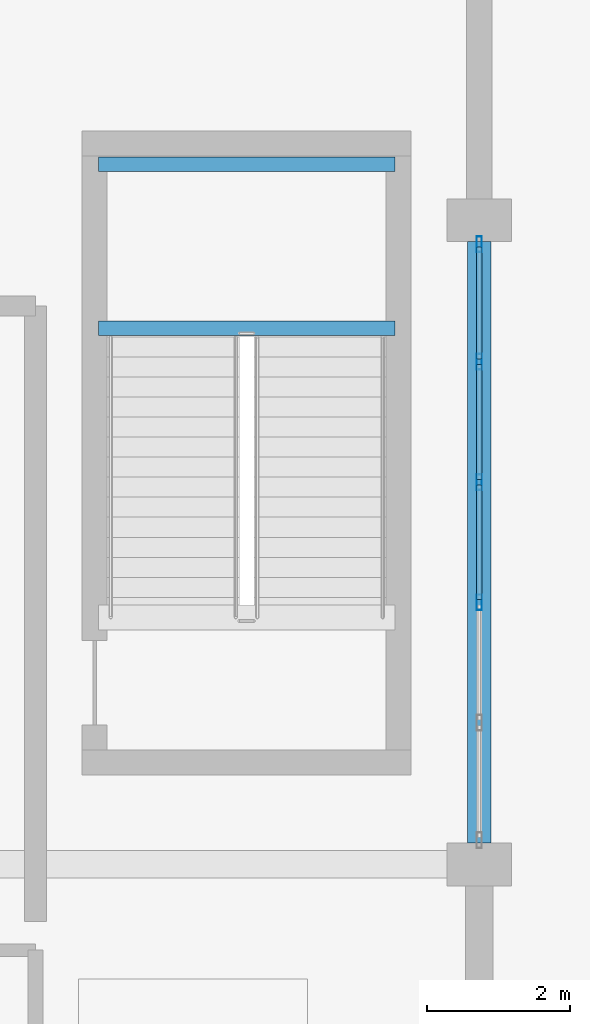
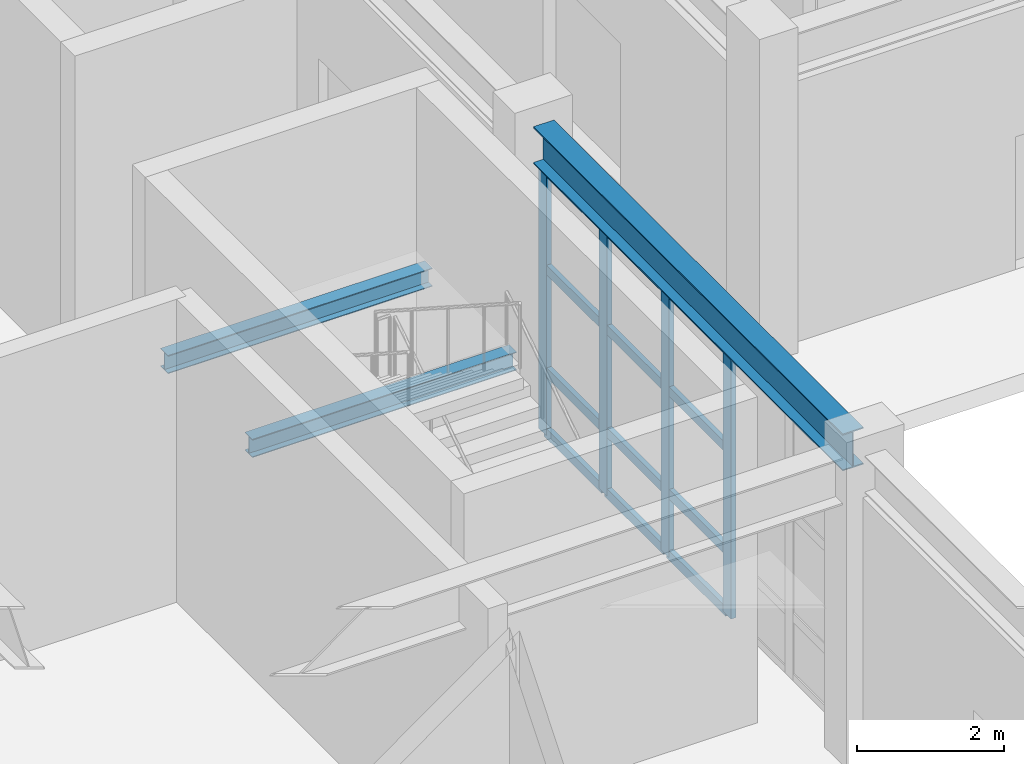
# One storey, part 22 of 91: 16 members, 3 beams, 1 element without a shape of its own.
"""IFC4 building model written with IfcOpenShell, lengths in metres."""

from ifc_helpers import new_model, si_unit, direction, frame, origin, origin_2d, place, context, subcontext, project, spatial, hollow_rectangle, i_section, extrude, material, layer, layer_set, material_profile, profile_set, type_object, element, aggregate, save


model = new_model("IFC4")

# Units and contexts
model_context = context("Model", 3, precision=1e-05, world=origin(), true_north=direction((0.0, 1.0)))
body_context = subcontext(model_context, "Body", "Model", "MODEL_VIEW")
ifc_project = project(units=[si_unit("LENGTHUNIT", "METRE"), si_unit("AREAUNIT", "SQUARE_METRE"), si_unit("VOLUMEUNIT", "CUBIC_METRE"), si_unit("PLANEANGLEUNIT", "RADIAN"), si_unit("MASSUNIT", "GRAM", prefix="KILO")], contexts=[model_context])

# Site, building, storey
site_placement = place(None, origin())
site = spatial("IfcSite", under=ifc_project, at=site_placement, CompositionType="ELEMENT")
building_placement = place(site_placement, origin())
building = spatial("IfcBuilding", under=site, at=building_placement, Name="Vaelkrest Opera House", CompositionType="ELEMENT")
storey_placement = place(building_placement, origin())
storey = spatial("IfcBuildingStorey", under=building, at=storey_placement, Name="L00", CompositionType="ELEMENT", Elevation=0.0)

# Curtain wall, members
ifc_material_1 = material(Name="Dark bronze anodized aluminium", Category="aluminium")
ifc_layer = layer(ifc_material_1, 0.199951171875)
ifc_layer_set = layer_set([ifc_layer], Name="Dark bronze anodized aluminium")
curtain_wall_type = type_object("IfcCurtainWallType", Name="CW03", PredefinedType="NOTDEFINED", material=ifc_layer_set)
curtain_wall_placement = place(storey_placement, origin())
curtain_wall = element("IfcCurtainWall", 1, at=curtain_wall_placement, inside=storey, type_object=curtain_wall_type, Name="Curtain wall CW-L00-019", PredefinedType="NOTDEFINED")
ifc_material_profile_1 = material_profile(ifc_material_1, hollow_rectangle(XDim=0.074951171875, YDim=0.219970703125, WallThickness=0.00439453125, at=origin_2d()), Name="CWM75X220")
ifc_profile_set_1 = profile_set([ifc_material_profile_1], Name="Dark bronze anodized aluminium")
member_type_1 = type_object("IfcMemberType", Name="CWM03", PredefinedType="MULLION", material=ifc_profile_set_1)
member_1_placement = place(storey_placement, frame((30.0, -38.135498046875, 0.0), z_axis=(0.0, 0.0, 1.0), x_axis=(1.0, 0.0, 0.0)))
member_1 = element("IfcMember", 2, at=member_1_placement, type_object=member_type_1, Name="CW03 mullion 1", PredefinedType="MULLION", context=body_context, shape_type="SweptSolid", body=[
    extrude(hollow_rectangle(XDim=0.074951171875, YDim=0.219970703125, WallThickness=0.00439453125, at=origin_2d()), origin(), (0.0, 0.0, 1.0), 4.404052734375),
])
member_2_placement = place(storey_placement, frame((30.0, -39.77880859375, 0.0), z_axis=(0.0, 0.0, 1.0), x_axis=(1.0, 0.0, 0.0)))
member_2 = element("IfcMember", 3, at=member_2_placement, type_object=member_type_1, Name="CW03 mullion 2", PredefinedType="MULLION", context=body_context, shape_type="SweptSolid", body=[
    extrude(hollow_rectangle(XDim=0.074951171875, YDim=0.219970703125, WallThickness=0.00439453125, at=origin_2d()), origin(), (0.0, 0.0, 1.0), 4.404052734375),
])
member_3_placement = place(storey_placement, frame((30.0, -41.459716796875, 0.0), z_axis=(0.0, 0.0, 1.0), x_axis=(1.0, 0.0, 0.0)))
member_3 = element("IfcMember", 4, at=member_3_placement, type_object=member_type_1, Name="CW03 mullion 3", PredefinedType="MULLION", context=body_context, shape_type="SweptSolid", body=[
    extrude(hollow_rectangle(XDim=0.074951171875, YDim=0.219970703125, WallThickness=0.00439453125, at=origin_2d()), origin(), (0.0, 0.0, 1.0), 4.404052734375),
])
member_4_placement = place(storey_placement, frame((30.0, -43.140380859375, 0.0), z_axis=(0.0, 0.0, 1.0), x_axis=(1.0, 0.0, 0.0)))
member_4 = element("IfcMember", 5, at=member_4_placement, type_object=member_type_1, Name="CW03 mullion 4", PredefinedType="MULLION", context=body_context, shape_type="SweptSolid", body=[
    extrude(hollow_rectangle(XDim=0.074951171875, YDim=0.219970703125, WallThickness=0.00439453125, at=origin_2d()), origin(), (0.0, 0.0, 1.0), 4.404052734375),
])
ifc_material_profile_2 = material_profile(ifc_material_1, hollow_rectangle(XDim=0.074951171875, YDim=0.159912109375, WallThickness=0.00439453125, at=origin_2d()), Name="CWT75X160")
ifc_profile_set_2 = profile_set([ifc_material_profile_2], Name="Dark bronze anodized aluminium")
member_type_2 = type_object("IfcMemberType", Name="CWT03", PredefinedType="USERDEFINED", material=ifc_profile_set_2)
member_5_placement = place(storey_placement, frame((30.0, -38.173095703125, 0.03759765625), z_axis=(0.0, -1.0, 0.0), x_axis=(1.0, 0.0, 0.0)))
member_5 = element("IfcMember", 6, at=member_5_placement, type_object=member_type_2, Name="CW03 transom 1.1", ObjectType="TRANSOM", PredefinedType="USERDEFINED", context=body_context, shape_type="SweptSolid", body=[
    extrude(hollow_rectangle(XDim=0.074951171875, YDim=0.159912109375, WallThickness=0.00439453125, at=origin_2d()), origin(), (0.0, 0.0, 1.0), 1.568115234375),
])
member_6_placement = place(storey_placement, frame((30.0, -38.173095703125, 1.050048828125), z_axis=(0.0, -1.0, 0.0), x_axis=(1.0, 0.0, 0.0)))
member_6 = element("IfcMember", 7, at=member_6_placement, type_object=member_type_2, Name="CW03 transom 1.2", ObjectType="TRANSOM", PredefinedType="USERDEFINED", context=body_context, shape_type="SweptSolid", body=[
    extrude(hollow_rectangle(XDim=0.074951171875, YDim=0.159912109375, WallThickness=0.00439453125, at=origin_2d()), origin(), (0.0, 0.0, 1.0), 1.568115234375),
])
member_7_placement = place(storey_placement, frame((30.0, -38.173095703125, 2.75), z_axis=(0.0, -1.0, 0.0), x_axis=(1.0, 0.0, 0.0)))
member_7 = element("IfcMember", 8, at=member_7_placement, type_object=member_type_2, Name="CW03 transom 1.3", ObjectType="TRANSOM", PredefinedType="USERDEFINED", context=body_context, shape_type="SweptSolid", body=[
    extrude(hollow_rectangle(XDim=0.074951171875, YDim=0.159912109375, WallThickness=0.00439453125, at=origin_2d()), origin(), (0.0, 0.0, 1.0), 1.568115234375),
])
member_8_placement = place(storey_placement, frame((30.0, -38.173095703125, 4.366455078125), z_axis=(0.0, -1.0, 0.0), x_axis=(1.0, 0.0, 0.0)))
member_8 = element("IfcMember", 9, at=member_8_placement, type_object=member_type_2, Name="CW03 transom 1.4", ObjectType="TRANSOM", PredefinedType="USERDEFINED", context=body_context, shape_type="SweptSolid", body=[
    extrude(hollow_rectangle(XDim=0.074951171875, YDim=0.159912109375, WallThickness=0.00439453125, at=origin_2d()), origin(), (0.0, 0.0, 1.0), 1.568115234375),
])
member_9_placement = place(storey_placement, frame((30.0, -39.81640625, 0.03759765625), z_axis=(0.0, -1.0, 0.0), x_axis=(1.0, 0.0, 0.0)))
member_9 = element("IfcMember", 10, at=member_9_placement, type_object=member_type_2, Name="CW03 transom 2.1", ObjectType="TRANSOM", PredefinedType="USERDEFINED", context=body_context, shape_type="SweptSolid", body=[
    extrude(hollow_rectangle(XDim=0.074951171875, YDim=0.159912109375, WallThickness=0.00439453125, at=origin_2d()), origin(), (0.0, 0.0, 1.0), 1.605712890625),
])
member_10_placement = place(storey_placement, frame((30.0, -39.81640625, 1.050048828125), z_axis=(0.0, -1.0, 0.0), x_axis=(1.0, 0.0, 0.0)))
member_10 = element("IfcMember", 11, at=member_10_placement, type_object=member_type_2, Name="CW03 transom 2.2", ObjectType="TRANSOM", PredefinedType="USERDEFINED", context=body_context, shape_type="SweptSolid", body=[
    extrude(hollow_rectangle(XDim=0.074951171875, YDim=0.159912109375, WallThickness=0.00439453125, at=origin_2d()), origin(), (0.0, 0.0, 1.0), 1.605712890625),
])
member_11_placement = place(storey_placement, frame((30.0, -39.81640625, 2.75), z_axis=(0.0, -1.0, 0.0), x_axis=(1.0, 0.0, 0.0)))
member_11 = element("IfcMember", 12, at=member_11_placement, type_object=member_type_2, Name="CW03 transom 2.3", ObjectType="TRANSOM", PredefinedType="USERDEFINED", context=body_context, shape_type="SweptSolid", body=[
    extrude(hollow_rectangle(XDim=0.074951171875, YDim=0.159912109375, WallThickness=0.00439453125, at=origin_2d()), origin(), (0.0, 0.0, 1.0), 1.605712890625),
])
member_12_placement = place(storey_placement, frame((30.0, -39.81640625, 4.366455078125), z_axis=(0.0, -1.0, 0.0), x_axis=(1.0, 0.0, 0.0)))
member_12 = element("IfcMember", 13, at=member_12_placement, type_object=member_type_2, Name="CW03 transom 2.4", ObjectType="TRANSOM", PredefinedType="USERDEFINED", context=body_context, shape_type="SweptSolid", body=[
    extrude(hollow_rectangle(XDim=0.074951171875, YDim=0.159912109375, WallThickness=0.00439453125, at=origin_2d()), origin(), (0.0, 0.0, 1.0), 1.605712890625),
])
member_13_placement = place(storey_placement, frame((30.0, -41.4970703125, 0.03759765625), z_axis=(0.0, -1.0, 0.0), x_axis=(1.0, 0.0, 0.0)))
member_13 = element("IfcMember", 14, at=member_13_placement, type_object=member_type_2, Name="CW03 transom 3.1", ObjectType="TRANSOM", PredefinedType="USERDEFINED", context=body_context, shape_type="SweptSolid", body=[
    extrude(hollow_rectangle(XDim=0.074951171875, YDim=0.159912109375, WallThickness=0.00439453125, at=origin_2d()), origin(), (0.0, 0.0, 1.0), 1.605712890625),
])
member_14_placement = place(storey_placement, frame((30.0, -41.4970703125, 1.050048828125), z_axis=(0.0, -1.0, 0.0), x_axis=(1.0, 0.0, 0.0)))
member_14 = element("IfcMember", 15, at=member_14_placement, type_object=member_type_2, Name="CW03 transom 3.2", ObjectType="TRANSOM", PredefinedType="USERDEFINED", context=body_context, shape_type="SweptSolid", body=[
    extrude(hollow_rectangle(XDim=0.074951171875, YDim=0.159912109375, WallThickness=0.00439453125, at=origin_2d()), origin(), (0.0, 0.0, 1.0), 1.605712890625),
])
member_15_placement = place(storey_placement, frame((30.0, -41.4970703125, 2.75), z_axis=(0.0, -1.0, 0.0), x_axis=(1.0, 0.0, 0.0)))
member_15 = element("IfcMember", 16, at=member_15_placement, type_object=member_type_2, Name="CW03 transom 3.3", ObjectType="TRANSOM", PredefinedType="USERDEFINED", context=body_context, shape_type="SweptSolid", body=[
    extrude(hollow_rectangle(XDim=0.074951171875, YDim=0.159912109375, WallThickness=0.00439453125, at=origin_2d()), origin(), (0.0, 0.0, 1.0), 1.605712890625),
])
member_16_placement = place(storey_placement, frame((30.0, -41.4970703125, 4.366455078125), z_axis=(0.0, -1.0, 0.0), x_axis=(1.0, 0.0, 0.0)))
member_16 = element("IfcMember", 17, at=member_16_placement, type_object=member_type_2, Name="CW03 transom 3.4", ObjectType="TRANSOM", PredefinedType="USERDEFINED", context=body_context, shape_type="SweptSolid", body=[
    extrude(hollow_rectangle(XDim=0.074951171875, YDim=0.159912109375, WallThickness=0.00439453125, at=origin_2d()), origin(), (0.0, 0.0, 1.0), 1.605712890625),
])
aggregate(curtain_wall, [member_1, member_2, member_3, member_4, member_5, member_6, member_7, member_8, member_9, member_10, member_11, member_12, member_13, member_14, member_15, member_16])

# Beams
ifc_material_2 = material(Name="Steel A992 Gr50", Category="steel")
ifc_material_profile_3 = material_profile(ifc_material_2, i_section(OverallWidth=0.202880859375, OverallDepth=0.302978515625, WebThickness=0.007568359375, FlangeThickness=0.01318359375, at=origin_2d()), Name="W12X40")
ifc_profile_set_3 = profile_set([ifc_material_profile_3], Name="Steel A992 Gr50")
beam_type_1 = type_object("IfcBeamType", Name="J02", PredefinedType="JOIST", material=ifc_profile_set_3)
for number, where, z_axis, x_axis, name in (
    (18, (24.679931640625, -39.31005859375, 2.348388671875), (1.0, 0.0, 0.0), (0.0, 1.0, 0.0), "Stair landing bearer beam ST04 L00-1N"),
    (19, (24.679931640625, -37.02001953125, 2.348388671875), (1.0, 0.0, 0.0), (0.0, 1.0, 0.0), "Stair landing bearer beam ST04 L00-1F"),
):
    element("IfcBeam", number, at=place(storey_placement, frame(where, z_axis=z_axis, x_axis=x_axis)), inside=storey, type_object=beam_type_1, Name=name, PredefinedType="JOIST", context=body_context, shape_type="SweptSolid", body=[
        extrude(i_section(OverallWidth=0.202880859375, OverallDepth=0.302978515625, WebThickness=0.007568359375, FlangeThickness=0.01318359375, at=origin_2d()), origin(), (0.0, 0.0, 1.0), 4.14013671875),
    ])
ifc_material_profile_4 = material_profile(ifc_material_2, i_section(OverallWidth=0.323974609375, OverallDepth=0.611083984375, WebThickness=0.0126953125, FlangeThickness=0.01904296875, at=origin_2d()), Name="W24X104")
ifc_profile_set_4 = profile_set([ifc_material_profile_4], Name="Steel A992 Gr50")
beam_type_2 = type_object("IfcBeamType", Name="SP01", PredefinedType="SPANDREL", material=ifc_profile_set_4)
beam_placement = place(storey_placement, frame((30.0, -46.5, 4.7744140625), z_axis=(0.0, 1.0, 0.0), x_axis=(-1.0, 0.0, 0.0)))
element("IfcBeam", 20, at=beam_placement, inside=storey, type_object=beam_type_2, Name="Beam BM-V1-L00-0182", PredefinedType="SPANDREL", context=body_context, shape_type="SweptSolid", body=[
    extrude(i_section(OverallWidth=0.323974609375, OverallDepth=0.611083984375, WebThickness=0.0126953125, FlangeThickness=0.01904296875, at=origin_2d()), origin(), (0.0, 0.0, 1.0), 8.39990234375),
])

save(model, "model.ifc")
